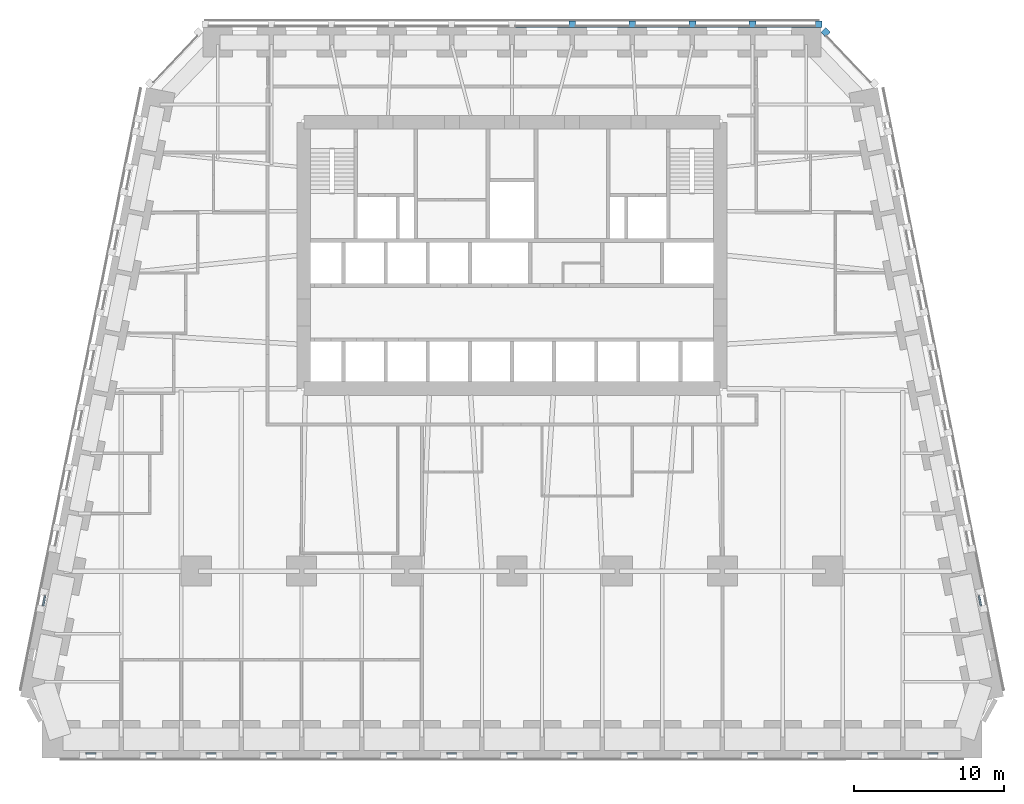
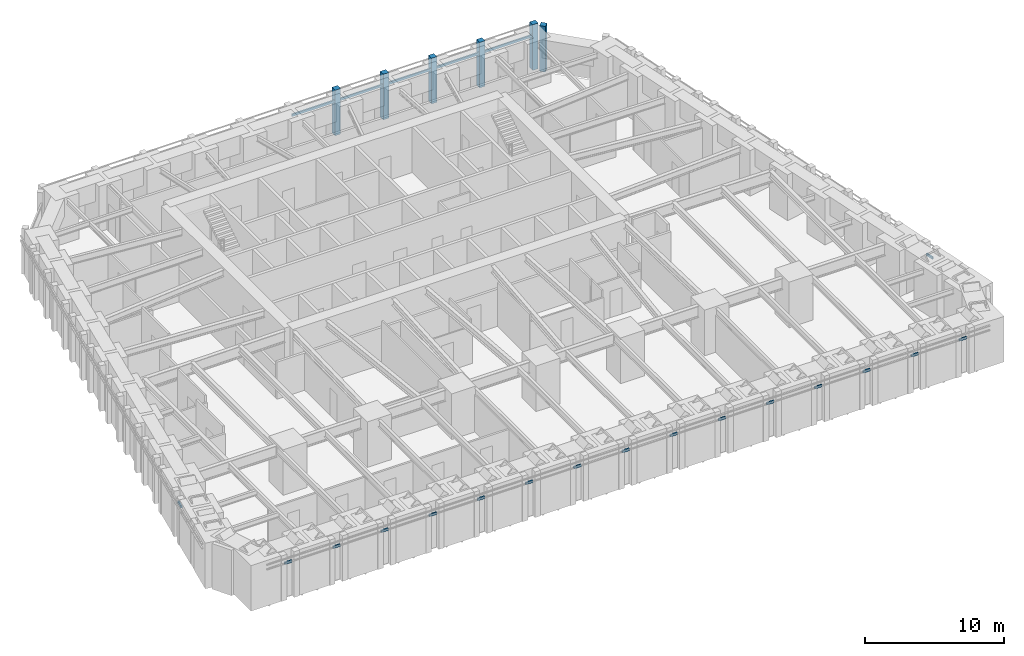
# One storey, part 5 of 17: 28 members, 19 elements without a shape of their own.
"""IFC4 building model written with IfcOpenShell, lengths in metres."""

from ifc_helpers import new_model, si_unit, direction, frame, origin, origin_2d, place, context, subcontext, project, spatial, rectangle, extrude, material, material_profile, profile_set, type_object, element, aggregate, save


model = new_model("IFC4")

# Units and contexts
model_context = context("Model", 3, precision=1e-05, world=origin(), true_north=direction((0.0, 1.0)))
body_context = subcontext(model_context, "Body", "Model", "MODEL_VIEW")
ifc_project = project(units=[si_unit("LENGTHUNIT", "METRE"), si_unit("AREAUNIT", "SQUARE_METRE"), si_unit("VOLUMEUNIT", "CUBIC_METRE"), si_unit("PLANEANGLEUNIT", "RADIAN"), si_unit("MASSUNIT", "GRAM", prefix="KILO")], contexts=[model_context])

# Site, building, storey
site_placement = place(None, origin())
site = spatial("IfcSite", under=ifc_project, at=site_placement, CompositionType="ELEMENT")
building_placement = place(site_placement, origin())
building = spatial("IfcBuilding", under=site, at=building_placement, Name="Isbrekke Arena Tower", CompositionType="ELEMENT")
storey_placement = place(building_placement, frame((0.0, 0.0, 48.0)))
storey = spatial("IfcBuildingStorey", under=building, at=storey_placement, Name="L09", CompositionType="ELEMENT", Elevation=48.0)

# Curtain wall, member
ifc_material_1 = material(Name="Glazed aluminium curtain wall", Category="aluminium")
curtain_wall_type = type_object("IfcCurtainWallType", Name="CWL TOWER CURTAIN WALL LOW ZONE", PredefinedType="USERDEFINED", material=ifc_material_1)
curtain_wall_1_placement = place(storey_placement, origin())
curtain_wall_1 = element("IfcCurtainWall", 1, at=curtain_wall_1_placement, inside=storey, type_object=curtain_wall_type, Name="CWL curtain wall L09-EN", ObjectType="TOWER CURTAIN WALL LOW ZONE", PredefinedType="USERDEFINED")
ifc_material_2 = material(Name="Aluminium mullion, pale brick slip cladding", Category="masonry")
ifc_material_profile_1 = material_profile(ifc_material_2, rectangle(XDim=0.449951171875, YDim=0.449951171875, at=origin_2d()), Name="PIER 450X450")
ifc_profile_set_1 = profile_set([ifc_material_profile_1], Name="Aluminium mullion, pale brick slip cladding")
member_type_1 = type_object("IfcMemberType", Name="CWL-M PIER MULLION 450 x 450", PredefinedType="MULLION", material=ifc_profile_set_1)
member_1_placement = place(storey_placement, frame((20.86572265625, 29.83642578125, 0.0), z_axis=(0.0, 0.0, 1.0), x_axis=(-0.68874946192, 0.72499943359, 0.0)))
member_1 = element("IfcMember", 2, at=member_1_placement, type_object=member_type_1, Name="CWL-M mullion 2", PredefinedType="MULLION", context=body_context, shape_type="SweptSolid", body=[
    extrude(rectangle(XDim=0.449951171875, YDim=0.449951171875, at=origin_2d()), origin(), (0.0, 0.0, 1.0), 4.0),
])
aggregate(curtain_wall_1, [member_1])

# Curtain wall, members
curtain_wall_2_placement = place(storey_placement, origin())
curtain_wall_2 = element("IfcCurtainWall", 3, at=curtain_wall_2_placement, inside=storey, type_object=curtain_wall_type, Name="CWL curtain wall L09-N", ObjectType="TOWER CURTAIN WALL LOW ZONE", PredefinedType="USERDEFINED")
member_2_placement = place(storey_placement, frame((20.39990234375, 30.375, 0.0), z_axis=(0.0, 0.0, 1.0), x_axis=(-1.0, 0.0, 0.0)))
member_2 = element("IfcMember", 4, at=member_2_placement, type_object=member_type_1, Name="CWL-M mullion 1", PredefinedType="MULLION", context=body_context, shape_type="SweptSolid", body=[
    extrude(rectangle(XDim=0.449951171875, YDim=0.449951171875, at=origin_2d()), origin(), (0.0, 0.0, 1.0), 4.0),
])
member_3_placement = place(storey_placement, frame((16.0, 30.375, 0.0), z_axis=(0.0, 0.0, 1.0), x_axis=(-1.0, 0.0, 0.0)))
member_3 = element("IfcMember", 5, at=member_3_placement, type_object=member_type_1, Name="CWL-M mullion 2", PredefinedType="MULLION", context=body_context, shape_type="SweptSolid", body=[
    extrude(rectangle(XDim=0.449951171875, YDim=0.449951171875, at=origin_2d()), origin(), (0.0, 0.0, 1.0), 4.0),
])
member_4_placement = place(storey_placement, frame((12.0, 30.375, 0.0), z_axis=(0.0, 0.0, 1.0), x_axis=(-1.0, 0.0, 0.0)))
member_4 = element("IfcMember", 6, at=member_4_placement, type_object=member_type_1, Name="CWL-M mullion 3", PredefinedType="MULLION", context=body_context, shape_type="SweptSolid", body=[
    extrude(rectangle(XDim=0.449951171875, YDim=0.449951171875, at=origin_2d()), origin(), (0.0, 0.0, 1.0), 4.0),
])
member_5_placement = place(storey_placement, frame((8.0, 30.375, 0.0), z_axis=(0.0, 0.0, 1.0), x_axis=(-1.0, 0.0, 0.0)))
member_5 = element("IfcMember", 7, at=member_5_placement, type_object=member_type_1, Name="CWL-M mullion 4", PredefinedType="MULLION", context=body_context, shape_type="SweptSolid", body=[
    extrude(rectangle(XDim=0.449951171875, YDim=0.449951171875, at=origin_2d()), origin(), (0.0, 0.0, 1.0), 4.0),
])
member_6_placement = place(storey_placement, frame((4.0, 30.375, 0.0), z_axis=(0.0, 0.0, 1.0), x_axis=(-1.0, 0.0, 0.0)))
member_6 = element("IfcMember", 8, at=member_6_placement, type_object=member_type_1, Name="CWL-M mullion 5", PredefinedType="MULLION", context=body_context, shape_type="SweptSolid", body=[
    extrude(rectangle(XDim=0.449951171875, YDim=0.449951171875, at=origin_2d()), origin(), (0.0, 0.0, 1.0), 4.0),
])

# Curtain wall, member
curtain_wall_3_placement = place(storey_placement, origin())
curtain_wall_3 = element("IfcCurtainWall", 9, at=curtain_wall_3_placement, inside=storey, type_object=curtain_wall_type, Name="CWL curtain wall L09-S", ObjectType="TOWER CURTAIN WALL LOW ZONE", PredefinedType="USERDEFINED")
ifc_material_3 = material(Name="Aluminium transom", Category="aluminium")
ifc_material_profile_2 = material_profile(ifc_material_3, rectangle(XDim=0.1201171875, YDim=0.199951171875, at=origin_2d()), Name="TRANSOM 120X200")
ifc_profile_set_2 = profile_set([ifc_material_profile_2], Name="Aluminium transom")
member_type_2 = type_object("IfcMemberType", Name="CWL-T TRANSOM 120 x 200", PredefinedType="USERDEFINED", material=ifc_profile_set_2)
member_7_placement = place(storey_placement, frame((-28.302001953125, -18.125, 3.0), z_axis=(1.0, 0.0, 0.0), x_axis=(0.0, 1.0, 0.0)))
member_7 = element("IfcMember", 10, at=member_7_placement, type_object=member_type_2, Name="CWL-T transom 1", ObjectType="TRANSOM", PredefinedType="USERDEFINED", context=body_context, shape_type="SweptSolid", body=[
    extrude(rectangle(XDim=0.1201171875, YDim=0.199951171875, at=origin_2d()), origin(), (0.0, 0.0, 1.0), 0.60205078125),
])
aggregate(curtain_wall_3, [member_7])

curtain_wall_4_placement = place(storey_placement, origin())
curtain_wall_4 = element("IfcCurtainWall", 11, at=curtain_wall_4_placement, inside=storey, type_object=curtain_wall_type, Name="CWL curtain wall L09-S3", ObjectType="TOWER CURTAIN WALL LOW ZONE", PredefinedType="USERDEFINED")
member_8_placement = place(storey_placement, frame((-24.300048828125, -18.125, 3.0), z_axis=(1.0, 0.0, 0.0), x_axis=(0.0, 1.0, 0.0)))
member_8 = element("IfcMember", 12, at=member_8_placement, type_object=member_type_2, Name="CWL-T transom 1", ObjectType="TRANSOM", PredefinedType="USERDEFINED", context=body_context, shape_type="SweptSolid", body=[
    extrude(rectangle(XDim=0.1201171875, YDim=0.199951171875, at=origin_2d()), origin(), (0.0, 0.0, 1.0), 0.60009765625),
])
aggregate(curtain_wall_4, [member_8])

curtain_wall_5_placement = place(storey_placement, origin())
curtain_wall_5 = element("IfcCurtainWall", 13, at=curtain_wall_5_placement, inside=storey, type_object=curtain_wall_type, Name="CWL curtain wall L09-S5", ObjectType="TOWER CURTAIN WALL LOW ZONE", PredefinedType="USERDEFINED")
member_9_placement = place(storey_placement, frame((-20.300048828125, -18.125, 3.0), z_axis=(1.0, 0.0, 0.0), x_axis=(0.0, 1.0, 0.0)))
member_9 = element("IfcMember", 14, at=member_9_placement, type_object=member_type_2, Name="CWL-T transom 1", ObjectType="TRANSOM", PredefinedType="USERDEFINED", context=body_context, shape_type="SweptSolid", body=[
    extrude(rectangle(XDim=0.1201171875, YDim=0.199951171875, at=origin_2d()), origin(), (0.0, 0.0, 1.0), 0.60009765625),
])
aggregate(curtain_wall_5, [member_9])

curtain_wall_6_placement = place(storey_placement, origin())
curtain_wall_6 = element("IfcCurtainWall", 15, at=curtain_wall_6_placement, inside=storey, type_object=curtain_wall_type, Name="CWL curtain wall L09-S7", ObjectType="TOWER CURTAIN WALL LOW ZONE", PredefinedType="USERDEFINED")
member_10_placement = place(storey_placement, frame((-16.300048828125, -18.125, 3.0), z_axis=(1.0, 0.0, 0.0), x_axis=(0.0, 1.0, 0.0)))
member_10 = element("IfcMember", 16, at=member_10_placement, type_object=member_type_2, Name="CWL-T transom 1", ObjectType="TRANSOM", PredefinedType="USERDEFINED", context=body_context, shape_type="SweptSolid", body=[
    extrude(rectangle(XDim=0.1201171875, YDim=0.199951171875, at=origin_2d()), origin(), (0.0, 0.0, 1.0), 0.60009765625),
])
aggregate(curtain_wall_6, [member_10])

curtain_wall_7_placement = place(storey_placement, origin())
curtain_wall_7 = element("IfcCurtainWall", 17, at=curtain_wall_7_placement, inside=storey, type_object=curtain_wall_type, Name="CWL curtain wall L09-S9", ObjectType="TOWER CURTAIN WALL LOW ZONE", PredefinedType="USERDEFINED")
member_11_placement = place(storey_placement, frame((-12.300048828125, -18.125, 3.0), z_axis=(1.0, 0.0, 0.0), x_axis=(0.0, 1.0, 0.0)))
member_11 = element("IfcMember", 18, at=member_11_placement, type_object=member_type_2, Name="CWL-T transom 1", ObjectType="TRANSOM", PredefinedType="USERDEFINED", context=body_context, shape_type="SweptSolid", body=[
    extrude(rectangle(XDim=0.1201171875, YDim=0.199951171875, at=origin_2d()), origin(), (0.0, 0.0, 1.0), 0.60009765625),
])
aggregate(curtain_wall_7, [member_11])

curtain_wall_8_placement = place(storey_placement, origin())
curtain_wall_8 = element("IfcCurtainWall", 19, at=curtain_wall_8_placement, inside=storey, type_object=curtain_wall_type, Name="CWL curtain wall L09-S11", ObjectType="TOWER CURTAIN WALL LOW ZONE", PredefinedType="USERDEFINED")
member_12_placement = place(storey_placement, frame((-8.300048828125, -18.125, 3.0), z_axis=(1.0, 0.0, 0.0), x_axis=(0.0, 1.0, 0.0)))
member_12 = element("IfcMember", 20, at=member_12_placement, type_object=member_type_2, Name="CWL-T transom 1", ObjectType="TRANSOM", PredefinedType="USERDEFINED", context=body_context, shape_type="SweptSolid", body=[
    extrude(rectangle(XDim=0.1201171875, YDim=0.199951171875, at=origin_2d()), origin(), (0.0, 0.0, 1.0), 0.60009765625),
])
aggregate(curtain_wall_8, [member_12])

curtain_wall_9_placement = place(storey_placement, origin())
curtain_wall_9 = element("IfcCurtainWall", 21, at=curtain_wall_9_placement, inside=storey, type_object=curtain_wall_type, Name="CWL curtain wall L09-S13", ObjectType="TOWER CURTAIN WALL LOW ZONE", PredefinedType="USERDEFINED")
member_13_placement = place(storey_placement, frame((-4.300048828125, -18.125, 3.0), z_axis=(1.0, 0.0, 0.0), x_axis=(0.0, 1.0, 0.0)))
member_13 = element("IfcMember", 22, at=member_13_placement, type_object=member_type_2, Name="CWL-T transom 1", ObjectType="TRANSOM", PredefinedType="USERDEFINED", context=body_context, shape_type="SweptSolid", body=[
    extrude(rectangle(XDim=0.1201171875, YDim=0.199951171875, at=origin_2d()), origin(), (0.0, 0.0, 1.0), 0.60009765625),
])
aggregate(curtain_wall_9, [member_13])

curtain_wall_10_placement = place(storey_placement, origin())
curtain_wall_10 = element("IfcCurtainWall", 23, at=curtain_wall_10_placement, inside=storey, type_object=curtain_wall_type, Name="CWL curtain wall L09-S15", ObjectType="TOWER CURTAIN WALL LOW ZONE", PredefinedType="USERDEFINED")
member_14_placement = place(storey_placement, frame((-0.300048828125, -18.125, 3.0), z_axis=(1.0, 0.0, 0.0), x_axis=(0.0, 1.0, 0.0)))
member_14 = element("IfcMember", 24, at=member_14_placement, type_object=member_type_2, Name="CWL-T transom 1", ObjectType="TRANSOM", PredefinedType="USERDEFINED", context=body_context, shape_type="SweptSolid", body=[
    extrude(rectangle(XDim=0.1201171875, YDim=0.199951171875, at=origin_2d()), origin(), (0.0, 0.0, 1.0), 0.60009765625),
])
aggregate(curtain_wall_10, [member_14])

curtain_wall_11_placement = place(storey_placement, origin())
curtain_wall_11 = element("IfcCurtainWall", 25, at=curtain_wall_11_placement, inside=storey, type_object=curtain_wall_type, Name="CWL curtain wall L09-S17", ObjectType="TOWER CURTAIN WALL LOW ZONE", PredefinedType="USERDEFINED")
member_15_placement = place(storey_placement, frame((3.699951171875, -18.125, 3.0), z_axis=(1.0, 0.0, 0.0), x_axis=(0.0, 1.0, 0.0)))
member_15 = element("IfcMember", 26, at=member_15_placement, type_object=member_type_2, Name="CWL-T transom 1", ObjectType="TRANSOM", PredefinedType="USERDEFINED", context=body_context, shape_type="SweptSolid", body=[
    extrude(rectangle(XDim=0.1201171875, YDim=0.199951171875, at=origin_2d()), origin(), (0.0, 0.0, 1.0), 0.60009765625),
])
aggregate(curtain_wall_11, [member_15])

curtain_wall_12_placement = place(storey_placement, origin())
curtain_wall_12 = element("IfcCurtainWall", 27, at=curtain_wall_12_placement, inside=storey, type_object=curtain_wall_type, Name="CWL curtain wall L09-S19", ObjectType="TOWER CURTAIN WALL LOW ZONE", PredefinedType="USERDEFINED")
member_16_placement = place(storey_placement, frame((7.699951171875, -18.125, 3.0), z_axis=(1.0, 0.0, 0.0), x_axis=(0.0, 1.0, 0.0)))
member_16 = element("IfcMember", 28, at=member_16_placement, type_object=member_type_2, Name="CWL-T transom 1", ObjectType="TRANSOM", PredefinedType="USERDEFINED", context=body_context, shape_type="SweptSolid", body=[
    extrude(rectangle(XDim=0.1201171875, YDim=0.199951171875, at=origin_2d()), origin(), (0.0, 0.0, 1.0), 0.60009765625),
])
aggregate(curtain_wall_12, [member_16])

curtain_wall_13_placement = place(storey_placement, origin())
curtain_wall_13 = element("IfcCurtainWall", 29, at=curtain_wall_13_placement, inside=storey, type_object=curtain_wall_type, Name="CWL curtain wall L09-S21", ObjectType="TOWER CURTAIN WALL LOW ZONE", PredefinedType="USERDEFINED")
member_17_placement = place(storey_placement, frame((11.699951171875, -18.125, 3.0), z_axis=(1.0, 0.0, 0.0), x_axis=(0.0, 1.0, 0.0)))
member_17 = element("IfcMember", 30, at=member_17_placement, type_object=member_type_2, Name="CWL-T transom 1", ObjectType="TRANSOM", PredefinedType="USERDEFINED", context=body_context, shape_type="SweptSolid", body=[
    extrude(rectangle(XDim=0.1201171875, YDim=0.199951171875, at=origin_2d()), origin(), (0.0, 0.0, 1.0), 0.60009765625),
])
aggregate(curtain_wall_13, [member_17])

curtain_wall_14_placement = place(storey_placement, origin())
curtain_wall_14 = element("IfcCurtainWall", 31, at=curtain_wall_14_placement, inside=storey, type_object=curtain_wall_type, Name="CWL curtain wall L09-S23", ObjectType="TOWER CURTAIN WALL LOW ZONE", PredefinedType="USERDEFINED")
member_18_placement = place(storey_placement, frame((15.699951171875, -18.125, 3.0), z_axis=(1.0, 0.0, 0.0), x_axis=(0.0, 1.0, 0.0)))
member_18 = element("IfcMember", 32, at=member_18_placement, type_object=member_type_2, Name="CWL-T transom 1", ObjectType="TRANSOM", PredefinedType="USERDEFINED", context=body_context, shape_type="SweptSolid", body=[
    extrude(rectangle(XDim=0.1201171875, YDim=0.199951171875, at=origin_2d()), origin(), (0.0, 0.0, 1.0), 0.60009765625),
])
aggregate(curtain_wall_14, [member_18])

curtain_wall_15_placement = place(storey_placement, origin())
curtain_wall_15 = element("IfcCurtainWall", 33, at=curtain_wall_15_placement, inside=storey, type_object=curtain_wall_type, Name="CWL curtain wall L09-S25", ObjectType="TOWER CURTAIN WALL LOW ZONE", PredefinedType="USERDEFINED")
member_19_placement = place(storey_placement, frame((19.699951171875, -18.125, 3.0), z_axis=(1.0, 0.0, 0.0), x_axis=(0.0, 1.0, 0.0)))
member_19 = element("IfcMember", 34, at=member_19_placement, type_object=member_type_2, Name="CWL-T transom 1", ObjectType="TRANSOM", PredefinedType="USERDEFINED", context=body_context, shape_type="SweptSolid", body=[
    extrude(rectangle(XDim=0.1201171875, YDim=0.199951171875, at=origin_2d()), origin(), (0.0, 0.0, 1.0), 0.60009765625),
])
aggregate(curtain_wall_15, [member_19])

curtain_wall_16_placement = place(storey_placement, origin())
curtain_wall_16 = element("IfcCurtainWall", 35, at=curtain_wall_16_placement, inside=storey, type_object=curtain_wall_type, Name="CWL curtain wall L09-S27", ObjectType="TOWER CURTAIN WALL LOW ZONE", PredefinedType="USERDEFINED")
member_20_placement = place(storey_placement, frame((23.699951171875, -18.125, 3.0), z_axis=(1.0, 0.0, 0.0), x_axis=(0.0, 1.0, 0.0)))
member_20 = element("IfcMember", 36, at=member_20_placement, type_object=member_type_2, Name="CWL-T transom 1", ObjectType="TRANSOM", PredefinedType="USERDEFINED", context=body_context, shape_type="SweptSolid", body=[
    extrude(rectangle(XDim=0.1201171875, YDim=0.199951171875, at=origin_2d()), origin(), (0.0, 0.0, 1.0), 0.60009765625),
])
aggregate(curtain_wall_16, [member_20])

curtain_wall_17_placement = place(storey_placement, origin())
curtain_wall_17 = element("IfcCurtainWall", 37, at=curtain_wall_17_placement, inside=storey, type_object=curtain_wall_type, Name="CWL curtain wall L09-S29", ObjectType="TOWER CURTAIN WALL LOW ZONE", PredefinedType="USERDEFINED")
member_21_placement = place(storey_placement, frame((27.699951171875, -18.125, 3.0), z_axis=(1.0, 0.0, 0.0), x_axis=(0.0, 1.0, 0.0)))
member_21 = element("IfcMember", 38, at=member_21_placement, type_object=member_type_2, Name="CWL-T transom 1", ObjectType="TRANSOM", PredefinedType="USERDEFINED", context=body_context, shape_type="SweptSolid", body=[
    extrude(rectangle(XDim=0.1201171875, YDim=0.199951171875, at=origin_2d()), origin(), (0.0, 0.0, 1.0), 0.60205078125),
])
aggregate(curtain_wall_17, [member_21])

curtain_wall_18_placement = place(storey_placement, origin())
curtain_wall_18 = element("IfcCurtainWall", 39, at=curtain_wall_18_placement, inside=storey, type_object=curtain_wall_type, Name="CWL curtain wall L09-E3", ObjectType="TOWER CURTAIN WALL LOW ZONE", PredefinedType="USERDEFINED")
member_22_placement = place(storey_placement, frame((31.189208984375, -8.30859375, 3.0), z_axis=(-0.196254379441, 0.980553016695, 0.0), x_axis=(-0.980553016695, -0.196254379441, 0.0)))
member_22 = element("IfcMember", 40, at=member_22_placement, type_object=member_type_2, Name="CWL-T transom 1", ObjectType="TRANSOM", PredefinedType="USERDEFINED", context=body_context, shape_type="SweptSolid", body=[
    extrude(rectangle(XDim=0.1201171875, YDim=0.199951171875, at=origin_2d()), origin(), (0.0, 0.0, 1.0), 0.67919921875),
])
aggregate(curtain_wall_18, [member_22])

# Member
member_23_placement = place(storey_placement, frame((20.175048828125, 30.25, 3.0), z_axis=(-1.0, 0.0, 0.0), x_axis=(0.0, -1.0, 0.0)))
member_23 = element("IfcMember", 41, at=member_23_placement, type_object=member_type_2, Name="CWL-T transom 1", ObjectType="TRANSOM", PredefinedType="USERDEFINED", context=body_context, shape_type="SweptSolid", body=[
    extrude(rectangle(XDim=0.1201171875, YDim=0.199951171875, at=origin_2d()), origin(), (0.0, 0.0, 1.0), 3.949951171875),
])

member_24_placement = place(storey_placement, frame((15.77490234375, 30.25, 3.0), z_axis=(-1.0, 0.0, 0.0), x_axis=(0.0, -1.0, 0.0)))
member_24 = element("IfcMember", 42, at=member_24_placement, type_object=member_type_2, Name="CWL-T transom 2", ObjectType="TRANSOM", PredefinedType="USERDEFINED", context=body_context, shape_type="SweptSolid", body=[
    extrude(rectangle(XDim=0.1201171875, YDim=0.199951171875, at=origin_2d()), origin(), (0.0, 0.0, 1.0), 3.5498046875),
])

member_25_placement = place(storey_placement, frame((11.77490234375, 30.25, 3.0), z_axis=(-1.0, 0.0, 0.0), x_axis=(0.0, -1.0, 0.0)))
member_25 = element("IfcMember", 43, at=member_25_placement, type_object=member_type_2, Name="CWL-T transom 3", ObjectType="TRANSOM", PredefinedType="USERDEFINED", context=body_context, shape_type="SweptSolid", body=[
    extrude(rectangle(XDim=0.1201171875, YDim=0.199951171875, at=origin_2d()), origin(), (0.0, 0.0, 1.0), 3.5498046875),
])

member_26_placement = place(storey_placement, frame((7.77490234375, 30.25, 3.0), z_axis=(-1.0, 0.0, 0.0), x_axis=(0.0, -1.0, 0.0)))
member_26 = element("IfcMember", 44, at=member_26_placement, type_object=member_type_2, Name="CWL-T transom 4", ObjectType="TRANSOM", PredefinedType="USERDEFINED", context=body_context, shape_type="SweptSolid", body=[
    extrude(rectangle(XDim=0.1201171875, YDim=0.199951171875, at=origin_2d()), origin(), (0.0, 0.0, 1.0), 3.5498046875),
])

member_27_placement = place(storey_placement, frame((3.77490234375, 30.25, 3.0), z_axis=(-1.0, 0.0, 0.0), x_axis=(0.0, -1.0, 0.0)))
member_27 = element("IfcMember", 45, at=member_27_placement, type_object=member_type_2, Name="CWL-T transom 5", ObjectType="TRANSOM", PredefinedType="USERDEFINED", context=body_context, shape_type="SweptSolid", body=[
    extrude(rectangle(XDim=0.1201171875, YDim=0.199951171875, at=origin_2d()), origin(), (0.0, 0.0, 1.0), 3.5498046875),
])

aggregate(curtain_wall_2, [member_2, member_3, member_4, member_5, member_6, member_23, member_24, member_25, member_26, member_27])

# Curtain wall, member
curtain_wall_19_placement = place(storey_placement, origin())
curtain_wall_19 = element("IfcCurtainWall", 46, at=curtain_wall_19_placement, inside=storey, type_object=curtain_wall_type, Name="CWL curtain wall L09-W17", ObjectType="TOWER CURTAIN WALL LOW ZONE", PredefinedType="USERDEFINED")
member_28_placement = place(storey_placement, frame((-31.055908203125, -7.642578125, 3.0), z_axis=(-0.196254379441, -0.980553016695, 0.0), x_axis=(0.980553016695, -0.196254379441, 0.0)))
member_28 = element("IfcMember", 47, at=member_28_placement, type_object=member_type_2, Name="CWL-T transom 1", ObjectType="TRANSOM", PredefinedType="USERDEFINED", context=body_context, shape_type="SweptSolid", body=[
    extrude(rectangle(XDim=0.1201171875, YDim=0.199951171875, at=origin_2d()), origin(), (0.0, 0.0, 1.0), 0.67919921875),
])
aggregate(curtain_wall_19, [member_28])

save(model, "model.ifc")
